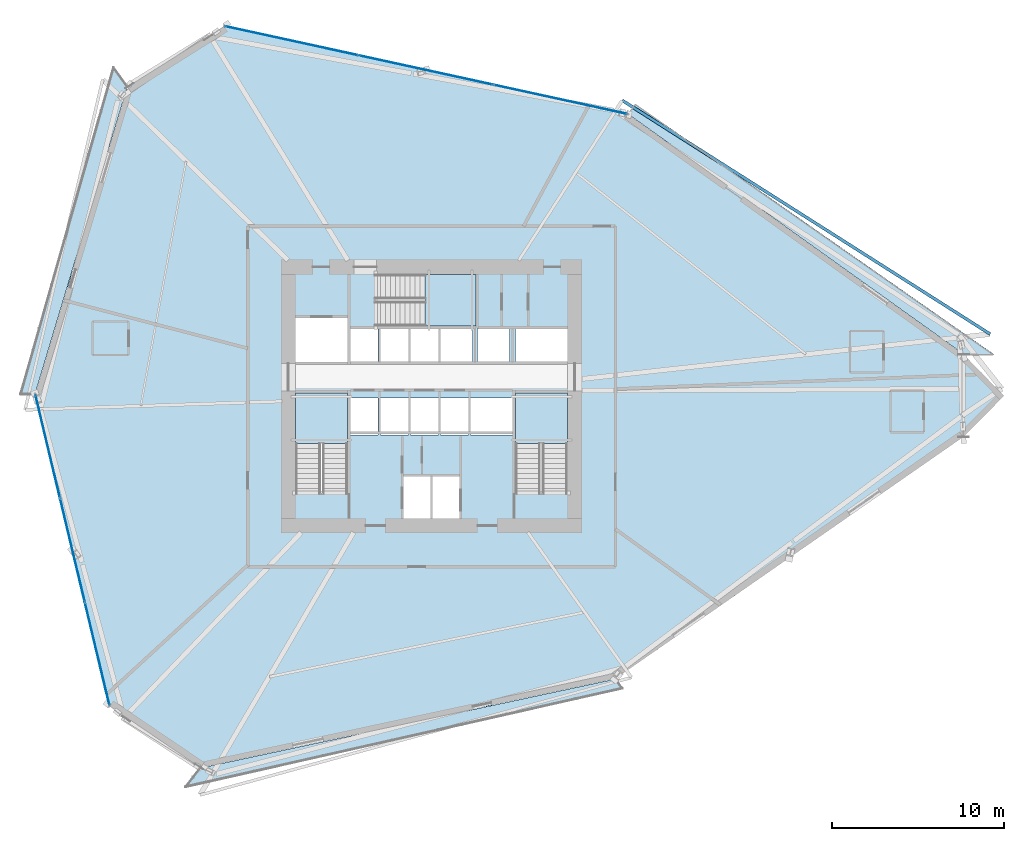
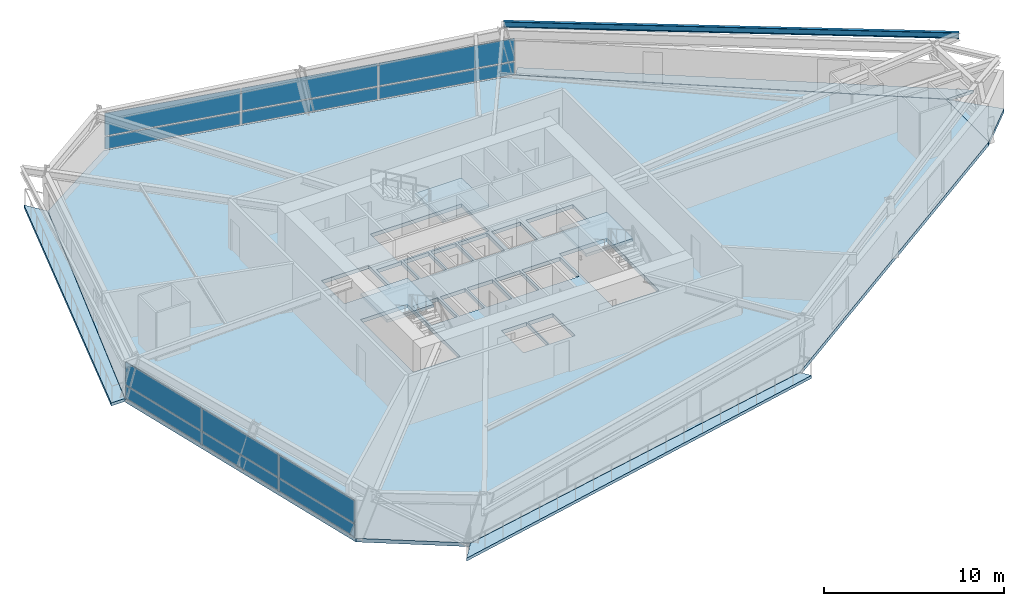
# One storey, part 12 of 21: 12 plates, 8 slabs, 1 beam, 5 elements without a shape of their own.
"""IFC4 building model written with IfcOpenShell, lengths in metres."""

from ifc_helpers import new_model, si_unit, direction, frame, origin, origin_2d, place, context, subcontext, project, spatial, polyline, rectangle, i_section, outline, extrude, source, transform, mapped, material, layer, layer_set, material_profile, profile_set, type_object, element, aggregate, save


model = new_model("IFC4")

# Units and contexts
model_context = context("Model", 3, precision=1e-05, world=origin(), true_north=direction((0.0, 1.0)))
body_context = subcontext(model_context, "Body", "Model", "MODEL_VIEW")
ifc_project = project(units=[si_unit("LENGTHUNIT", "METRE"), si_unit("AREAUNIT", "SQUARE_METRE"), si_unit("VOLUMEUNIT", "CUBIC_METRE"), si_unit("PLANEANGLEUNIT", "RADIAN"), si_unit("MASSUNIT", "GRAM", prefix="KILO")], contexts=[model_context])

# Site, building, storey
site_placement = place(None, origin())
site = spatial("IfcSite", under=ifc_project, at=site_placement, CompositionType="ELEMENT")
building_placement = place(site_placement, origin())
building = spatial("IfcBuilding", under=site, at=building_placement, Name="Olszyna Solenne Hotel", CompositionType="ELEMENT")
storey_placement = place(building_placement, frame((0.0, 0.0, 39.949951171875)))
storey = spatial("IfcBuildingStorey", under=building, at=storey_placement, Name="L09", CompositionType="ELEMENT", Elevation=39.949951171875)

# Beam
ifc_material_1 = material(Name="Steel S355J2", Category="steel")
ifc_material_profile = material_profile(ifc_material_1, i_section(OverallWidth=0.179931640625, OverallDepth=0.39990234375, WebThickness=0.008544921875, FlangeThickness=0.013427734375, at=origin_2d()), Name="IPE 400", Category="load-bearing")
ifc_profile_set = profile_set([ifc_material_profile], Name="Steel S355J2")
beam_type = type_object("IfcBeamType", Name="BM-F5", PredefinedType="BEAM", material=ifc_profile_set)
shared_shape_1 = source(origin(), body_context, "Body", "SweptSolid", [
    extrude(i_section(OverallWidth=0.179931640625, OverallDepth=0.39990234375, WebThickness=0.008544921875, FlangeThickness=0.013427734375, at=origin_2d()), origin(), (0.0, 0.0, 1.0), 25.34912109375),
])
beam_placement = place(storey_placement, frame((70.488037109375, 30.221923828125, 3.10009765625), z_axis=(-0.844070904426, 0.53623158085, 0.0), x_axis=(-0.53623158085, -0.844070904426, 0.0)))
element("IfcBeam", 1, at=beam_placement, inside=storey, type_object=beam_type, Name="Loggia outer edge beam BM-F5 B-L09-0315", PredefinedType="BEAM", context=body_context, shape_type="MappedRepresentation", body=[
    mapped(shared_shape_1, transform((0.0, 0.0, 0.0), x_axis=(1.0, 0.0, 0.0), y_axis=(0.0, 1.0, 0.0), z_axis=(0.0, 0.0, 1.0), scale=1.0)),
])

# Stair, slab
ifc_material_2 = material(Name="Concrete C40/50", Category="concrete")
stair_type = type_object("IfcStairType", Name="STR-C1", PredefinedType="TWO_QUARTER_WINDING_STAIR", material=ifc_material_2)
stair_1_placement = place(storey_placement, origin())
stair_1 = element("IfcStair", 2, at=stair_1_placement, inside=storey, type_object=stair_type, Name="L09 ST1", PredefinedType="TWO_QUARTER_WINDING_STAIR")
ifc_layer_1 = layer(ifc_material_2, 0.18994140625, Name="Concrete C40/50")
ifc_layer_set_1 = layer_set([ifc_layer_1], Name="Concrete C40/50")
slab_type_1 = type_object("IfcSlabType", Name="SL-LN190", PredefinedType="LANDING", material=ifc_layer_set_1)
slab_1_placement = place(storey_placement, frame((0.0, 0.0, 1.574951171875)))
slab_1 = element("IfcSlab", 3, at=slab_1_placement, type_object=slab_type_1, Name="ST1 landing 1", PredefinedType="LANDING", context=body_context, shape_type="SweptSolid", body=[
    extrude(outline(polyline([(33.1201171875, 23.85009765625), (33.1201171875, 26.800048828125), (30.10009765625, 26.800048828125), (30.10009765625, 23.85009765625), (33.1201171875, 23.85009765625)])), origin(), (0.0, 0.0, 1.0), 0.2001953125),
])
aggregate(stair_1, [slab_1])

stair_2_placement = place(storey_placement, origin())
stair_2 = element("IfcStair", 4, at=stair_2_placement, inside=storey, type_object=stair_type, Name="L09 ST2", PredefinedType="TWO_QUARTER_WINDING_STAIR")
slab_2_placement = place(storey_placement, frame((0.0, 0.0, 1.574951171875)))
slab_2 = element("IfcSlab", 5, at=slab_2_placement, type_object=slab_type_1, Name="ST2 landing 1", PredefinedType="LANDING", context=body_context, shape_type="SweptSolid", body=[
    extrude(outline(polyline([(45.89990234375, 23.85009765625), (45.89990234375, 26.800048828125), (42.8798828125, 26.800048828125), (42.8798828125, 23.85009765625), (45.89990234375, 23.85009765625)])), origin(), (0.0, 0.0, 1.0), 0.2001953125),
])
aggregate(stair_2, [slab_2])

stair_3_placement = place(storey_placement, origin())
stair_3 = element("IfcStair", 6, at=stair_3_placement, inside=storey, type_object=stair_type, Name="L09 ST3", PredefinedType="TWO_QUARTER_WINDING_STAIR")
slab_3_placement = place(storey_placement, frame((0.0, 0.0, 1.574951171875)))
slab_3 = element("IfcSlab", 7, at=slab_3_placement, type_object=slab_type_1, Name="ST3 landing 1", PredefinedType="LANDING", context=body_context, shape_type="SweptSolid", body=[
    extrude(outline(polyline([(37.6298828125, 30.679931640625), (40.580078125, 30.679931640625), (40.580078125, 33.699951171875), (37.6298828125, 33.699951171875), (37.6298828125, 30.679931640625)])), origin(), (0.0, 0.0, 1.0), 0.2001953125),
])
aggregate(stair_3, [slab_3])

# Slabs
ifc_material_3 = material(Name="Precast concrete C45/55", Category="concrete")
ifc_layer_2 = layer(ifc_material_3, 0.199951171875, Name="Precast concrete C45/55")
ifc_layer_set_2 = layer_set([ifc_layer_2], Name="Precast concrete C45/55")
slab_type_2 = type_object("IfcSlabType", Name="SL-LOG200", PredefinedType="FLOOR", material=ifc_layer_set_2)
slab_4_placement = place(storey_placement, frame((0.0, 0.0, -0.199951171875)))
element("IfcSlab", 8, at=slab_4_placement, inside=storey, type_object=slab_type_2, Name="Exterior loggia balcony slab SL-L09-LG1", PredefinedType="FLOOR", context=body_context, shape_type="SweptSolid", body=[
    extrude(outline(polyline([(49.421142578125, 43.02685546875), (68.963623046875, 29.041748046875), (68.96484375, 29.041015625), (68.9658203125, 29.0400390625), (68.975830078125, 29.029541015625), (70.736083984375, 29.0302734375), (49.8740234375, 43.6015625), (49.421142578125, 43.02685546875)])), origin(), (0.0, 0.0, 1.0), 0.199951171875),
])
slab_5_placement = place(storey_placement, frame((0.0, 0.0, -0.199951171875)))
element("IfcSlab", 9, at=slab_5_placement, inside=storey, type_object=slab_type_2, Name="Exterior loggia balcony slab SL-L09-LG2", PredefinedType="FLOOR", context=body_context, shape_type="SweptSolid", body=[
    extrude(outline(polyline([(14.93994140625, 26.732666015625), (14.93994140625, 26.73388671875), (14.940185546875, 26.735595703125), (14.9404296875, 26.737060546875), (20.306396484375, 44.606689453125), (20.306884765625, 44.6083984375), (20.3076171875, 44.609619140625), (20.308349609375, 44.611083984375), (20.309326171875, 44.6123046875), (20.310302734375, 44.61328125), (20.3115234375, 44.6142578125), (20.31201171875, 44.614501953125), (19.464111328125, 45.774658203125), (14.064453125, 26.732421875), (14.93994140625, 26.732666015625)])), origin(), (0.0, 0.0, 1.0), 0.199951171875),
])
slab_6_placement = place(storey_placement, frame((0.0, 0.0, -0.199951171875)))
element("IfcSlab", 10, at=slab_6_placement, inside=storey, type_object=slab_type_2, Name="Exterior loggia balcony slab SL-L09-LG3", PredefinedType="FLOOR", context=body_context, shape_type="SweptSolid", body=[
    extrude(outline(polyline([(48.692626953125, 10.16259765625), (48.6923828125, 10.16259765625), (48.691162109375, 10.16162109375), (48.689697265625, 10.160888671875), (48.6884765625, 10.160400390625), (48.68701171875, 10.16015625), (24.576904296875, 4.988037109375), (24.575439453125, 4.98779296875), (24.57373046875, 4.98779296875), (24.572265625, 4.98779296875), (24.57080078125, 4.988037109375), (24.5693359375, 4.98828125), (24.56787109375, 4.989013671875), (24.566650390625, 4.989501953125), (24.565185546875, 4.990478515625), (24.564453125, 4.990966796875), (23.6494140625, 3.830078125), (49.1123046875, 9.588623046875), (48.692626953125, 10.16259765625)])), origin(), (0.0, 0.0, 1.0), 0.199951171875),
])
ifc_material_4 = material(Name="Concrete C50/60", Category="concrete")
ifc_layer_3 = layer(ifc_material_4, 0.25, Name="Concrete C50/60")
ifc_layer_set_3 = layer_set([ifc_layer_3], Name="Concrete C50/60")
slab_type_3 = type_object("IfcSlabType", Name="SL-TW250", PredefinedType="FLOOR", material=ifc_layer_set_3)
slab_7_placement = place(storey_placement, frame((0.0, 0.0, -0.25)))
element("IfcSlab", 11, at=slab_7_placement, inside=storey, type_object=slab_type_3, Name="Floor slab SL-TW250 SL-L09-01", PredefinedType="FLOOR", context=body_context, shape_type="SweptSolid", body=[
    extrude(outline(polyline([(68.934326171875, 24.244873046875), (68.955078125, 29.029541015625), (49.411865234375, 43.01513671875), (25.931884765625, 48.136474609375), (20.32080078125, 44.6025390625), (14.954833984375, 26.732666015625), (19.2841796875, 8.583984375), (24.57373046875, 5.002685546875), (48.683837890625, 10.1748046875), (68.934326171875, 24.244873046875)]), holes=[polyline([(30.10009765625, 20.949951171875), (33.1201171875, 20.949951171875), (33.1201171875, 26.800048828125), (30.10009765625, 26.800048828125), (30.10009765625, 20.949951171875)]), polyline([(42.8798828125, 20.949951171875), (45.89990234375, 20.949951171875), (45.89990234375, 26.800048828125), (42.8798828125, 26.800048828125), (42.8798828125, 20.949951171875)]), polyline([(34.72998046875, 30.679931640625), (40.580078125, 30.679931640625), (40.580078125, 33.699951171875), (34.72998046875, 33.699951171875), (34.72998046875, 30.679931640625)]), polyline([(36.340087890625, 19.5), (37.9599609375, 19.5), (37.9599609375, 21.9599609375), (36.340087890625, 21.9599609375), (36.340087890625, 19.5)]), polyline([(38.0400390625, 19.5), (39.659912109375, 19.5), (39.659912109375, 21.9599609375), (38.0400390625, 21.9599609375), (38.0400390625, 19.5)]), polyline([(30.10009765625, 28.60009765625), (33.1201171875, 28.60009765625), (33.1201171875, 31.159912109375), (30.10009765625, 31.159912109375), (30.10009765625, 28.60009765625)]), polyline([(33.280029296875, 24.360107421875), (34.89990234375, 24.360107421875), (34.89990234375, 26.5), (33.280029296875, 26.5), (33.280029296875, 24.360107421875)]), polyline([(35.030029296875, 24.360107421875), (36.64990234375, 24.360107421875), (36.64990234375, 26.5), (35.030029296875, 26.5), (35.030029296875, 24.360107421875)]), polyline([(36.780029296875, 24.360107421875), (38.39990234375, 24.360107421875), (38.39990234375, 26.5), (36.780029296875, 26.5), (36.780029296875, 24.360107421875)]), polyline([(38.530029296875, 24.360107421875), (40.14990234375, 24.360107421875), (40.14990234375, 26.5), (38.530029296875, 26.5), (38.530029296875, 24.360107421875)]), polyline([(40.280029296875, 24.360107421875), (42.719970703125, 24.360107421875), (42.719970703125, 26.5), (40.280029296875, 26.5), (40.280029296875, 24.360107421875)]), polyline([(33.280029296875, 28.60009765625), (34.89990234375, 28.60009765625), (34.89990234375, 30.550048828125), (33.280029296875, 30.550048828125), (33.280029296875, 28.60009765625)]), polyline([(35.030029296875, 28.60009765625), (36.64990234375, 28.60009765625), (36.64990234375, 30.550048828125), (35.030029296875, 30.550048828125), (35.030029296875, 28.60009765625)]), polyline([(36.780029296875, 28.60009765625), (38.39990234375, 28.60009765625), (38.39990234375, 30.550048828125), (36.780029296875, 30.550048828125), (36.780029296875, 28.60009765625)]), polyline([(38.530029296875, 28.60009765625), (40.389892578125, 28.60009765625), (40.389892578125, 30.550048828125), (38.530029296875, 30.550048828125), (38.530029296875, 28.60009765625)]), polyline([(40.659912109375, 28.60009765625), (42.52001953125, 28.60009765625), (42.52001953125, 30.550048828125), (40.659912109375, 30.550048828125), (40.659912109375, 28.60009765625)]), polyline([(42.8798828125, 28.60009765625), (45.89990234375, 28.60009765625), (45.89990234375, 30.550048828125), (42.8798828125, 30.550048828125), (42.8798828125, 28.60009765625)])]), origin(), (0.0, 0.0, 1.0), 0.25),
])
slab_8_placement = place(storey_placement, frame((0.0, 0.0, -0.25)))
element("IfcSlab", 12, at=slab_8_placement, inside=storey, type_object=slab_type_3, Name="Faceted glass-prism floor slab SL-L09-PR", PredefinedType="FLOOR", context=body_context, shape_type="SweptSolid", body=[
    extrude(outline(polyline([(68.965087890625, 29.019287109375), (68.9443359375, 24.2548828125), (71.294677734375, 26.626953125), (68.965087890625, 29.019287109375)])), origin(), (0.0, 0.0, 1.0), 0.25),
])

# Curtain wall, plates
ifc_material_5 = material(Name="Anodised bronze aluminium", Category="aluminium")
curtain_wall_type = type_object("IfcCurtainWallType", Name="CW-SYS-2", PredefinedType="NOTDEFINED", material=ifc_material_5)
curtain_wall_1_placement = place(storey_placement, origin())
curtain_wall_1 = element("IfcCurtainWall", 13, at=curtain_wall_1_placement, inside=storey, type_object=curtain_wall_type, Name="Unitised curtain wall CW-SYS-2 CW-L09-01", PredefinedType="NOTDEFINED")
ifc_material_6 = material(Name="Terracotta cladding", Category="masonry")
plate_type_1 = type_object("IfcPlateType", Name="PN-SP1", PredefinedType="CURTAIN_PANEL", material=ifc_material_6)
shared_shape_2 = source(origin(), body_context, "Body", "SweptSolid", [
    extrude(rectangle(XDim=6.144287109375, YDim=0.035888671875, at=origin_2d()), origin(), (0.0, 0.0, 1.0), 0.83740234375),
])
plate_1_placement = place(storey_placement, frame((17.11962890625, 17.658203125, 0.0751953125), z_axis=(0.0, 0.0, 1.0), x_axis=(0.232034244109, -0.972707617715, 0.0)))
plate_1 = element("IfcPlate", 14, at=plate_1_placement, type_object=plate_type_1, Name="Curtain-wall panel PN-SP1 CP-L09-01-03", PredefinedType="CURTAIN_PANEL", context=body_context, shape_type="MappedRepresentation", body=[
    mapped(shared_shape_2, transform((0.0, 0.0, 0.0), x_axis=(1.0, 0.0, 0.0), y_axis=(0.0, 1.0, 0.0), z_axis=(0.0, 0.0, 1.0), scale=1.0)),
])
ifc_material_7 = material(Name="Low-E triple glazing", Category="glass")
plate_type_2 = type_object("IfcPlateType", Name="PN-GL1", PredefinedType="CURTAIN_PANEL", material=ifc_material_7)
shared_shape_3 = source(origin(), body_context, "Body", "SweptSolid", [
    extrude(rectangle(XDim=6.144287109375, YDim=0.035888671875, at=origin_2d()), origin(), (0.0, 0.0, 1.0), 1.529541015625),
])
plate_2_placement = place(storey_placement, frame((17.11962890625, 17.658203125, 0.9873046875), z_axis=(0.0, 0.0, 1.0), x_axis=(0.232034244109, -0.972707617715, 0.0)))
plate_2 = element("IfcPlate", 15, at=plate_2_placement, type_object=plate_type_2, Name="Curtain-wall panel PN-GL1 CP-L09-01-04", PredefinedType="CURTAIN_PANEL", context=body_context, shape_type="MappedRepresentation", body=[
    mapped(shared_shape_3, transform((0.0, 0.0, 0.0), x_axis=(1.0, 0.0, 0.0), y_axis=(0.0, 1.0, 0.0), z_axis=(0.0, 0.0, 1.0), scale=1.0)),
])

curtain_wall_2_placement = place(storey_placement, origin())
curtain_wall_2 = element("IfcCurtainWall", 16, at=curtain_wall_2_placement, inside=storey, type_object=curtain_wall_type, Name="Unitised curtain wall CW-SYS-2 CW-L09-02", PredefinedType="NOTDEFINED")
shared_shape_4 = source(origin(), body_context, "Body", "SweptSolid", [
    extrude(rectangle(XDim=7.898193359375, YDim=0.035888671875, at=origin_2d()), origin(), (0.0, 0.0, 1.0), 0.83740234375),
])
plate_3_placement = place(storey_placement, frame((29.863525390625, 47.27880859375, 0.0751953125), z_axis=(0.0, 0.0, 1.0), x_axis=(0.977029515139, -0.213104027523, 0.0)))
plate_3 = element("IfcPlate", 17, at=plate_3_placement, type_object=plate_type_1, Name="Curtain-wall panel PN-SP1 CP-L09-02-01", PredefinedType="CURTAIN_PANEL", context=body_context, shape_type="MappedRepresentation", body=[
    mapped(shared_shape_4, transform((0.0, 0.0, 0.0), x_axis=(1.0, 0.0, 0.0), y_axis=(0.0, 1.0, 0.0), z_axis=(0.0, 0.0, 1.0), scale=1.0)),
])
plate_4_placement = place(storey_placement, frame((45.480224609375, 43.87255859375, 0.0751953125), z_axis=(0.0, 0.0, 1.0), x_axis=(0.977029515139, -0.213104027523, 0.0)))
plate_4 = element("IfcPlate", 18, at=plate_4_placement, type_object=plate_type_1, Name="Curtain-wall panel PN-SP1 CP-L09-02-05", PredefinedType="CURTAIN_PANEL", context=body_context, shape_type="MappedRepresentation", body=[
    mapped(shared_shape_4, transform((0.0, 0.0, 0.0), x_axis=(1.0, 0.0, 0.0), y_axis=(0.0, 1.0, 0.0), z_axis=(0.0, 0.0, 1.0), scale=1.0)),
])
shared_shape_5 = source(origin(), body_context, "Body", "SweptSolid", [
    extrude(rectangle(XDim=7.898193359375, YDim=0.035888671875, at=origin_2d()), origin(), (0.0, 0.0, 1.0), 1.529541015625),
])
plate_5_placement = place(storey_placement, frame((29.863525390625, 47.27880859375, 0.9873046875), z_axis=(0.0, 0.0, 1.0), x_axis=(0.977029515139, -0.213104027523, 0.0)))
plate_5 = element("IfcPlate", 19, at=plate_5_placement, type_object=plate_type_2, Name="Curtain-wall panel PN-GL1 CP-L09-02-02", PredefinedType="CURTAIN_PANEL", context=body_context, shape_type="MappedRepresentation", body=[
    mapped(shared_shape_5, transform((0.0, 0.0, 0.0), x_axis=(1.0, 0.0, 0.0), y_axis=(0.0, 1.0, 0.0), z_axis=(0.0, 0.0, 1.0), scale=1.0)),
])
plate_6_placement = place(storey_placement, frame((45.480224609375, 43.87255859375, 0.9873046875), z_axis=(0.0, 0.0, 1.0), x_axis=(0.977029515139, -0.213104027523, 0.0)))
plate_6 = element("IfcPlate", 20, at=plate_6_placement, type_object=plate_type_2, Name="Curtain-wall panel PN-GL1 CP-L09-02-06", PredefinedType="CURTAIN_PANEL", context=body_context, shape_type="MappedRepresentation", body=[
    mapped(shared_shape_5, transform((0.0, 0.0, 0.0), x_axis=(1.0, 0.0, 0.0), y_axis=(0.0, 1.0, 0.0), z_axis=(0.0, 0.0, 1.0), scale=1.0)),
])
shared_shape_6 = source(origin(), body_context, "Body", "SweptSolid", [
    extrude(rectangle(XDim=7.935546875, YDim=0.035888671875, at=origin_2d()), origin(), (0.0, 0.0, 1.0), 0.83740234375),
])
plate_7_placement = place(storey_placement, frame((37.671875, 45.57568359375, 0.0751953125), z_axis=(0.0, 0.0, 1.0), x_axis=(0.977029515139, -0.213104027523, 0.0)))
plate_7 = element("IfcPlate", 21, at=plate_7_placement, type_object=plate_type_1, Name="Curtain-wall panel PN-SP1 CP-L09-02-03", PredefinedType="CURTAIN_PANEL", context=body_context, shape_type="MappedRepresentation", body=[
    mapped(shared_shape_6, transform((0.0, 0.0, 0.0), x_axis=(1.0, 0.0, 0.0), y_axis=(0.0, 1.0, 0.0), z_axis=(0.0, 0.0, 1.0), scale=1.0)),
])
shared_shape_7 = source(origin(), body_context, "Body", "SweptSolid", [
    extrude(rectangle(XDim=7.935546875, YDim=0.035888671875, at=origin_2d()), origin(), (0.0, 0.0, 1.0), 1.529541015625),
])
plate_8_placement = place(storey_placement, frame((37.671875, 45.57568359375, 0.9873046875), z_axis=(0.0, 0.0, 1.0), x_axis=(0.977029515139, -0.213104027523, 0.0)))
plate_8 = element("IfcPlate", 22, at=plate_8_placement, type_object=plate_type_2, Name="Curtain-wall panel PN-GL1 CP-L09-02-04", PredefinedType="CURTAIN_PANEL", context=body_context, shape_type="MappedRepresentation", body=[
    mapped(shared_shape_7, transform((0.0, 0.0, 0.0), x_axis=(1.0, 0.0, 0.0), y_axis=(0.0, 1.0, 0.0), z_axis=(0.0, 0.0, 1.0), scale=1.0)),
])
aggregate(curtain_wall_2, [plate_3, plate_5, plate_7, plate_8, plate_4, plate_6])

# Plate
shared_shape_8 = source(origin(), body_context, "Body", "SweptSolid", [
    extrude(rectangle(XDim=6.10693359375, YDim=0.035888671875, at=origin_2d()), origin(), (0.0, 0.0, 1.0), 0.83740234375),
])
plate_9_placement = place(storey_placement, frame((15.680908203125, 23.689697265625, 0.0751953125), z_axis=(0.0, 0.0, 1.0), x_axis=(0.232034244109, -0.972707617715, 0.0)))
plate_9 = element("IfcPlate", 23, at=plate_9_placement, type_object=plate_type_1, Name="Curtain-wall panel PN-SP1 CP-L09-01-01", PredefinedType="CURTAIN_PANEL", context=body_context, shape_type="MappedRepresentation", body=[
    mapped(shared_shape_8, transform((0.0, 0.0, 0.0), x_axis=(1.0, 0.0, 0.0), y_axis=(0.0, 1.0, 0.0), z_axis=(0.0, 0.0, 1.0), scale=1.0)),
])

plate_10_placement = place(storey_placement, frame((18.558349609375, 11.626953125, 0.0751953125), z_axis=(0.0, 0.0, 1.0), x_axis=(0.232034244109, -0.972707617715, 0.0)))
plate_10 = element("IfcPlate", 24, at=plate_10_placement, type_object=plate_type_1, Name="Curtain-wall panel PN-SP1 CP-L09-01-05", PredefinedType="CURTAIN_PANEL", context=body_context, shape_type="MappedRepresentation", body=[
    mapped(shared_shape_8, transform((0.0, 0.0, 0.0), x_axis=(1.0, 0.0, 0.0), y_axis=(0.0, 1.0, 0.0), z_axis=(0.0, 0.0, 1.0), scale=1.0)),
])

shared_shape_9 = source(origin(), body_context, "Body", "SweptSolid", [
    extrude(rectangle(XDim=6.10693359375, YDim=0.035888671875, at=origin_2d()), origin(), (0.0, 0.0, 1.0), 1.529541015625),
])
plate_11_placement = place(storey_placement, frame((15.680908203125, 23.689697265625, 0.9873046875), z_axis=(0.0, 0.0, 1.0), x_axis=(0.232034244109, -0.972707617715, 0.0)))
plate_11 = element("IfcPlate", 25, at=plate_11_placement, type_object=plate_type_2, Name="Curtain-wall panel PN-GL1 CP-L09-01-02", PredefinedType="CURTAIN_PANEL", context=body_context, shape_type="MappedRepresentation", body=[
    mapped(shared_shape_9, transform((0.0, 0.0, 0.0), x_axis=(1.0, 0.0, 0.0), y_axis=(0.0, 1.0, 0.0), z_axis=(0.0, 0.0, 1.0), scale=1.0)),
])

plate_12_placement = place(storey_placement, frame((18.558349609375, 11.626953125, 0.9873046875), z_axis=(0.0, 0.0, 1.0), x_axis=(0.232034244109, -0.972707617715, 0.0)))
plate_12 = element("IfcPlate", 26, at=plate_12_placement, type_object=plate_type_2, Name="Curtain-wall panel PN-GL1 CP-L09-01-06", PredefinedType="CURTAIN_PANEL", context=body_context, shape_type="MappedRepresentation", body=[
    mapped(shared_shape_9, transform((0.0, 0.0, 0.0), x_axis=(1.0, 0.0, 0.0), y_axis=(0.0, 1.0, 0.0), z_axis=(0.0, 0.0, 1.0), scale=1.0)),
])

aggregate(curtain_wall_1, [plate_9, plate_11, plate_1, plate_2, plate_10, plate_12])

save(model, "model.ifc")
